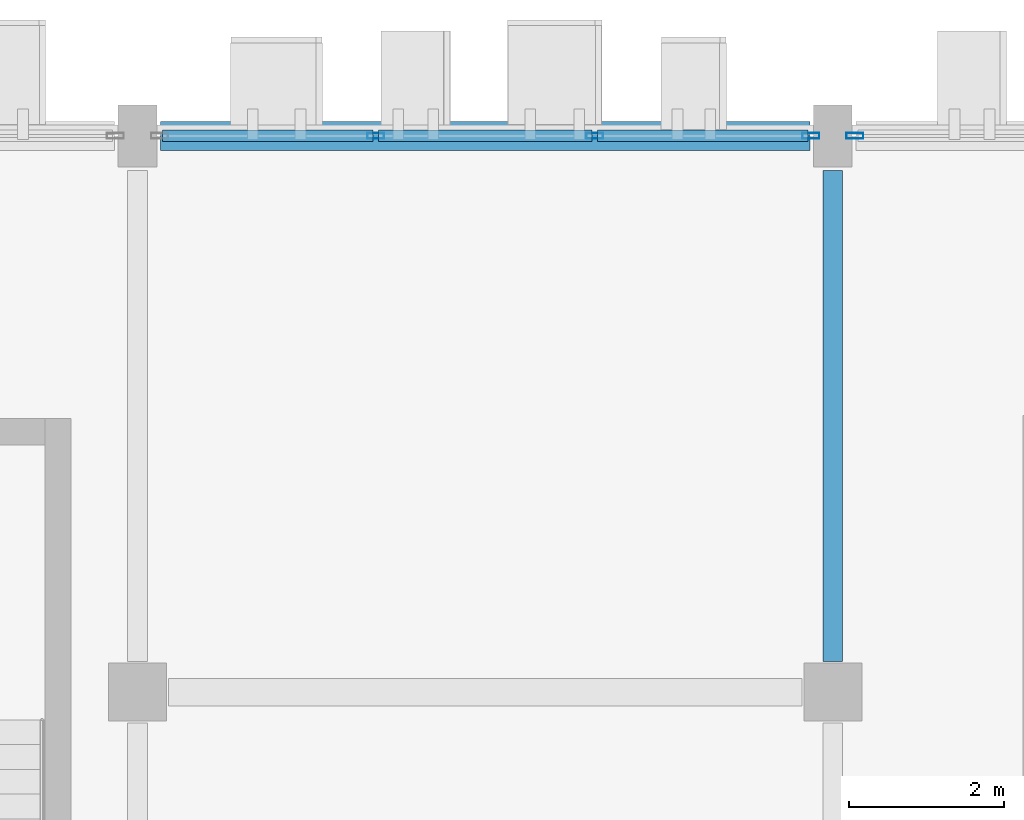
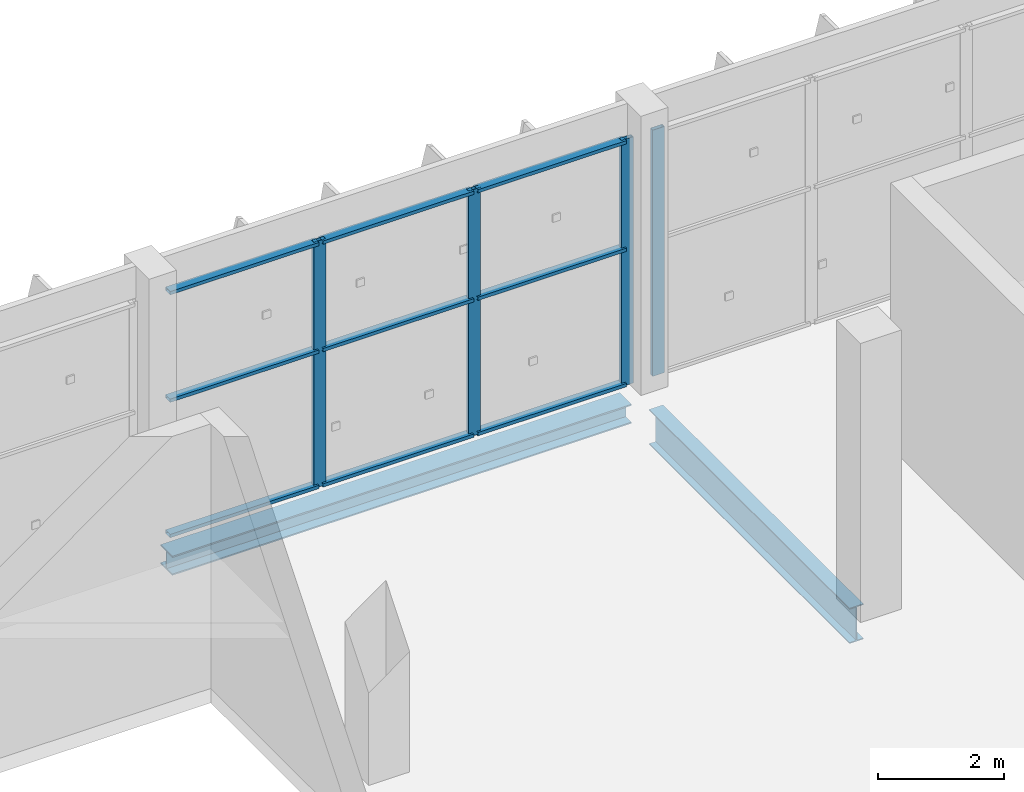
# One storey, part 100 of 189: 13 members, 2 beams, 2 elements without a shape of their own.
"""IFC4 building model written with IfcOpenShell, lengths in metres."""

from ifc_helpers import new_model, si_unit, direction, frame, origin, origin_2d, place, context, subcontext, project, spatial, hollow_rectangle, i_section, extrude, material, layer, layer_set, material_profile, profile_set, type_object, element, aggregate, save


model = new_model("IFC4")

# Units and contexts
model_context = context("Model", 3, precision=1e-05, world=origin(), true_north=direction((0.0, 1.0)))
body_context = subcontext(model_context, "Body", "Model", "MODEL_VIEW")
ifc_project = project(units=[si_unit("LENGTHUNIT", "METRE"), si_unit("AREAUNIT", "SQUARE_METRE"), si_unit("VOLUMEUNIT", "CUBIC_METRE"), si_unit("PLANEANGLEUNIT", "RADIAN"), si_unit("MASSUNIT", "GRAM", prefix="KILO")], contexts=[model_context])

# Site, building, storey
site_placement = place(None, origin())
site = spatial("IfcSite", under=ifc_project, at=site_placement, CompositionType="ELEMENT")
building_placement = place(site_placement, origin())
building = spatial("IfcBuilding", under=site, at=building_placement, Name="Celestram Park Convention Centre", CompositionType="ELEMENT")
storey_placement = place(building_placement, frame((0.0, 0.0, 5.39990234375)))
storey = spatial("IfcBuildingStorey", under=building, at=storey_placement, Name="L01", CompositionType="ELEMENT", Elevation=5.39990234375)

# Curtain wall, members
ifc_material_1 = material(Name="Anodised Aluminium Alloy 6063-T6", Category="aluminium")
ifc_layer = layer(ifc_material_1, 0.179931640625)
ifc_layer_set = layer_set([ifc_layer], Name="Anodised Aluminium Alloy 6063-T6")
curtain_wall_type = type_object("IfcCurtainWallType", Name="ARC-CW-850X476", PredefinedType="NOTDEFINED", material=ifc_layer_set)
curtain_wall_1_placement = place(storey_placement, origin())
curtain_wall_1 = element("IfcCurtainWall", 1, at=curtain_wall_1_placement, inside=storey, type_object=curtain_wall_type, Name="Unitised curtain wall CU-L01-064", PredefinedType="NOTDEFINED")
ifc_material_profile_1 = material_profile(ifc_material_1, hollow_rectangle(XDim=0.074951171875, YDim=0.219970703125, WallThickness=0.00390625, at=origin_2d()), Name="ALU75X220X4")
ifc_profile_set_1 = profile_set([ifc_material_profile_1], Name="Anodised Aluminium Alloy 6063-T6")
member_type_1 = type_object("IfcMemberType", Name="ARC-CWM-180", PredefinedType="MULLION", material=ifc_profile_set_1)
member_1_placement = place(storey_placement, frame((120.082763671875, 165.60009765625, 0.0), z_axis=(0.0, 0.0, 1.0), x_axis=(0.0, 1.0, 0.0)))
member_1 = element("IfcMember", 2, at=member_1_placement, type_object=member_type_1, Name="CW-85X47 mullion 2", PredefinedType="MULLION", context=body_context, shape_type="SweptSolid", body=[
    extrude(hollow_rectangle(XDim=0.074951171875, YDim=0.219970703125, WallThickness=0.00390625, at=origin_2d()), origin(), (0.0, 0.0, 1.0), 4.76416015625),
])
member_2_placement = place(storey_placement, frame((122.917236328125, 165.60009765625, 0.0), z_axis=(0.0, 0.0, 1.0), x_axis=(0.0, 1.0, 0.0)))
member_2 = element("IfcMember", 3, at=member_2_placement, type_object=member_type_1, Name="CW-85X47 mullion 3", PredefinedType="MULLION", context=body_context, shape_type="SweptSolid", body=[
    extrude(hollow_rectangle(XDim=0.074951171875, YDim=0.219970703125, WallThickness=0.00390625, at=origin_2d()), origin(), (0.0, 0.0, 1.0), 4.76416015625),
])
member_3_placement = place(storey_placement, frame((125.714599609375, 165.60009765625, 0.0), z_axis=(0.0, 0.0, 1.0), x_axis=(0.0, 1.0, 0.0)))
member_3 = element("IfcMember", 4, at=member_3_placement, type_object=member_type_1, Name="CW-85X47 mullion 4", PredefinedType="MULLION", context=body_context, shape_type="SweptSolid", body=[
    extrude(hollow_rectangle(XDim=0.074951171875, YDim=0.219970703125, WallThickness=0.00390625, at=origin_2d()), origin(), (0.0, 0.0, 1.0), 4.76416015625),
])

# Curtain wall, member
curtain_wall_2_placement = place(storey_placement, origin())
curtain_wall_2 = element("IfcCurtainWall", 5, at=curtain_wall_2_placement, inside=storey, type_object=curtain_wall_type, Name="Unitised curtain wall CU-L01-065", PredefinedType="NOTDEFINED")
member_4_placement = place(storey_placement, frame((126.285400390625, 165.60009765625, 0.0), z_axis=(0.0, 0.0, 1.0), x_axis=(0.0, 1.0, 0.0)))
member_4 = element("IfcMember", 6, at=member_4_placement, type_object=member_type_1, Name="CW-85X47 mullion 1", PredefinedType="MULLION", context=body_context, shape_type="SweptSolid", body=[
    extrude(hollow_rectangle(XDim=0.074951171875, YDim=0.219970703125, WallThickness=0.00390625, at=origin_2d()), origin(), (0.0, 0.0, 1.0), 4.76416015625),
])
aggregate(curtain_wall_2, [member_4])

# Member
ifc_material_profile_2 = material_profile(ifc_material_1, hollow_rectangle(XDim=0.14990234375, YDim=0.06494140625, WallThickness=0.0029296875, at=origin_2d()), Name="ALU150X65X3")
ifc_profile_set_2 = profile_set([ifc_material_profile_2], Name="Anodised Aluminium Alloy 6063-T6")
member_type_2 = type_object("IfcMemberType", Name="ARC-CWT-150", PredefinedType="USERDEFINED", material=ifc_profile_set_2)
member_5_placement = place(storey_placement, frame((117.322998046875, 165.60009765625, 0.03271484375), z_axis=(1.0, 0.0, 0.0), x_axis=(0.0, 1.0, 0.0)))
member_5 = element("IfcMember", 7, at=member_5_placement, type_object=member_type_2, Name="CW-85X47 transom 1.1", ObjectType="TRANSOM", PredefinedType="USERDEFINED", context=body_context, shape_type="SweptSolid", body=[
    extrude(hollow_rectangle(XDim=0.14990234375, YDim=0.06494140625, WallThickness=0.0029296875, at=origin_2d()), origin(), (0.0, 0.0, 1.0), 2.72216796875),
])

member_6_placement = place(storey_placement, frame((117.322998046875, 165.60009765625, 2.650146484375), z_axis=(1.0, 0.0, 0.0), x_axis=(0.0, 1.0, 0.0)))
member_6 = element("IfcMember", 8, at=member_6_placement, type_object=member_type_2, Name="CW-85X47 transom 1.2", ObjectType="TRANSOM", PredefinedType="USERDEFINED", context=body_context, shape_type="SweptSolid", body=[
    extrude(hollow_rectangle(XDim=0.14990234375, YDim=0.06494140625, WallThickness=0.0029296875, at=origin_2d()), origin(), (0.0, 0.0, 1.0), 2.72216796875),
])

member_7_placement = place(storey_placement, frame((117.322998046875, 165.60009765625, 4.731689453125), z_axis=(1.0, 0.0, 0.0), x_axis=(0.0, 1.0, 0.0)))
member_7 = element("IfcMember", 9, at=member_7_placement, type_object=member_type_2, Name="CW-85X47 transom 1.3", ObjectType="TRANSOM", PredefinedType="USERDEFINED", context=body_context, shape_type="SweptSolid", body=[
    extrude(hollow_rectangle(XDim=0.14990234375, YDim=0.06494140625, WallThickness=0.0029296875, at=origin_2d()), origin(), (0.0, 0.0, 1.0), 2.72216796875),
])

member_8_placement = place(storey_placement, frame((120.1201171875, 165.60009765625, 0.03271484375), z_axis=(1.0, 0.0, 0.0), x_axis=(0.0, 1.0, 0.0)))
member_8 = element("IfcMember", 10, at=member_8_placement, type_object=member_type_2, Name="CW-85X47 transom 2.1", ObjectType="TRANSOM", PredefinedType="USERDEFINED", context=body_context, shape_type="SweptSolid", body=[
    extrude(hollow_rectangle(XDim=0.14990234375, YDim=0.06494140625, WallThickness=0.0029296875, at=origin_2d()), origin(), (0.0, 0.0, 1.0), 2.759765625),
])

member_9_placement = place(storey_placement, frame((120.1201171875, 165.60009765625, 2.650146484375), z_axis=(1.0, 0.0, 0.0), x_axis=(0.0, 1.0, 0.0)))
member_9 = element("IfcMember", 11, at=member_9_placement, type_object=member_type_2, Name="CW-85X47 transom 2.2", ObjectType="TRANSOM", PredefinedType="USERDEFINED", context=body_context, shape_type="SweptSolid", body=[
    extrude(hollow_rectangle(XDim=0.14990234375, YDim=0.06494140625, WallThickness=0.0029296875, at=origin_2d()), origin(), (0.0, 0.0, 1.0), 2.759765625),
])

member_10_placement = place(storey_placement, frame((120.1201171875, 165.60009765625, 4.731689453125), z_axis=(1.0, 0.0, 0.0), x_axis=(0.0, 1.0, 0.0)))
member_10 = element("IfcMember", 12, at=member_10_placement, type_object=member_type_2, Name="CW-85X47 transom 2.3", ObjectType="TRANSOM", PredefinedType="USERDEFINED", context=body_context, shape_type="SweptSolid", body=[
    extrude(hollow_rectangle(XDim=0.14990234375, YDim=0.06494140625, WallThickness=0.0029296875, at=origin_2d()), origin(), (0.0, 0.0, 1.0), 2.759765625),
])

member_11_placement = place(storey_placement, frame((122.954833984375, 165.60009765625, 0.03271484375), z_axis=(1.0, 0.0, 0.0), x_axis=(0.0, 1.0, 0.0)))
member_11 = element("IfcMember", 13, at=member_11_placement, type_object=member_type_2, Name="CW-85X47 transom 3.1", ObjectType="TRANSOM", PredefinedType="USERDEFINED", context=body_context, shape_type="SweptSolid", body=[
    extrude(hollow_rectangle(XDim=0.14990234375, YDim=0.06494140625, WallThickness=0.0029296875, at=origin_2d()), origin(), (0.0, 0.0, 1.0), 2.72216796875),
])

member_12_placement = place(storey_placement, frame((122.954833984375, 165.60009765625, 2.650146484375), z_axis=(1.0, 0.0, 0.0), x_axis=(0.0, 1.0, 0.0)))
member_12 = element("IfcMember", 14, at=member_12_placement, type_object=member_type_2, Name="CW-85X47 transom 3.2", ObjectType="TRANSOM", PredefinedType="USERDEFINED", context=body_context, shape_type="SweptSolid", body=[
    extrude(hollow_rectangle(XDim=0.14990234375, YDim=0.06494140625, WallThickness=0.0029296875, at=origin_2d()), origin(), (0.0, 0.0, 1.0), 2.72216796875),
])

member_13_placement = place(storey_placement, frame((122.954833984375, 165.60009765625, 4.731689453125), z_axis=(1.0, 0.0, 0.0), x_axis=(0.0, 1.0, 0.0)))
member_13 = element("IfcMember", 15, at=member_13_placement, type_object=member_type_2, Name="CW-85X47 transom 3.3", ObjectType="TRANSOM", PredefinedType="USERDEFINED", context=body_context, shape_type="SweptSolid", body=[
    extrude(hollow_rectangle(XDim=0.14990234375, YDim=0.06494140625, WallThickness=0.0029296875, at=origin_2d()), origin(), (0.0, 0.0, 1.0), 2.72216796875),
])

aggregate(curtain_wall_1, [member_1, member_2, member_3, member_5, member_6, member_7, member_8, member_9, member_10, member_11, member_12, member_13])

# Beams
ifc_material_2 = material(Name="Steel ASTM A992 Grade 50", Category="steel")
ifc_material_profile_3 = material_profile(ifc_material_2, i_section(OverallWidth=0.25390625, OverallDepth=0.68310546875, WebThickness=0.012451171875, FlangeThickness=0.01904296875, at=origin_2d()), Name="W27X94")
ifc_profile_set_3 = profile_set([ifc_material_profile_3], Name="Steel ASTM A992 Grade 50")
beam_type_1 = type_object("IfcBeamType", Name="STR-BM-W27X94", PredefinedType="BEAM", material=ifc_profile_set_3)
beam_1_placement = place(storey_placement, frame((126.0, 158.798095703125, -0.621337890625), z_axis=(0.0, 1.0, 0.0), x_axis=(-1.0, 0.0, 0.0)))
element("IfcBeam", 16, at=beam_1_placement, inside=storey, type_object=beam_type_1, Name="Primary Y-girder BG-L01-0284", PredefinedType="BEAM", context=body_context, shape_type="SweptSolid", body=[
    extrude(i_section(OverallWidth=0.25390625, OverallDepth=0.68310546875, WebThickness=0.012451171875, FlangeThickness=0.01904296875, at=origin_2d()), origin(), (0.0, 0.0, 1.0), 6.35400390625),
])
ifc_material_profile_4 = material_profile(ifc_material_2, i_section(OverallWidth=0.373046875, OverallDepth=0.373046875, WebThickness=0.016357421875, FlangeThickness=0.026123046875, at=origin_2d()), Name="W14X132")
ifc_profile_set_4 = profile_set([ifc_material_profile_4], Name="Steel ASTM A992 Grade 50")
beam_type_2 = type_object("IfcBeamType", Name="STR-SPN-W14X132", PredefinedType="SPANDREL", material=ifc_profile_set_4)
beam_2_placement = place(storey_placement, frame((117.298095703125, 165.60009765625, -0.46630859375), z_axis=(1.0, 0.0, 0.0), x_axis=(0.0, 1.0, 0.0)))
element("IfcBeam", 17, at=beam_2_placement, inside=storey, type_object=beam_type_2, Name="Primary X-girder BG-L01-0247", PredefinedType="SPANDREL", context=body_context, shape_type="SweptSolid", body=[
    extrude(i_section(OverallWidth=0.373046875, OverallDepth=0.373046875, WebThickness=0.016357421875, FlangeThickness=0.026123046875, at=origin_2d()), origin(), (0.0, 0.0, 1.0), 8.40380859375),
])

save(model, "model.ifc")
